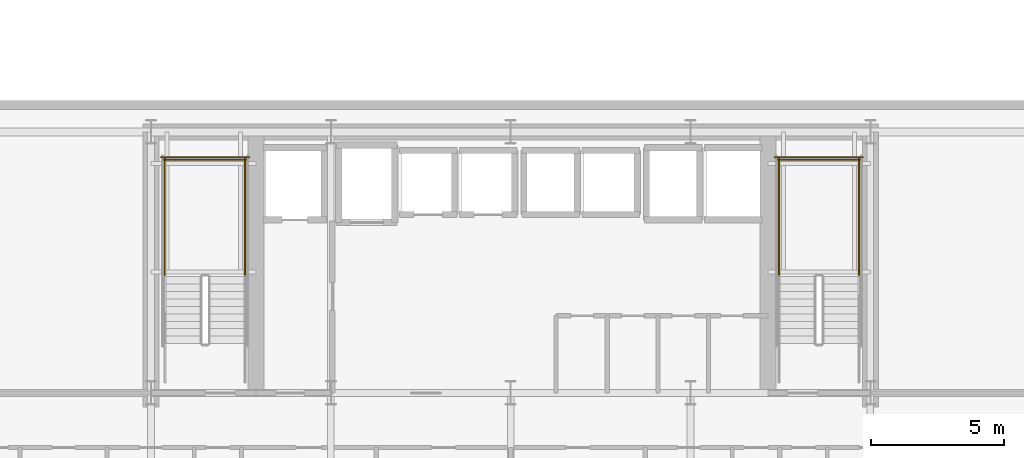
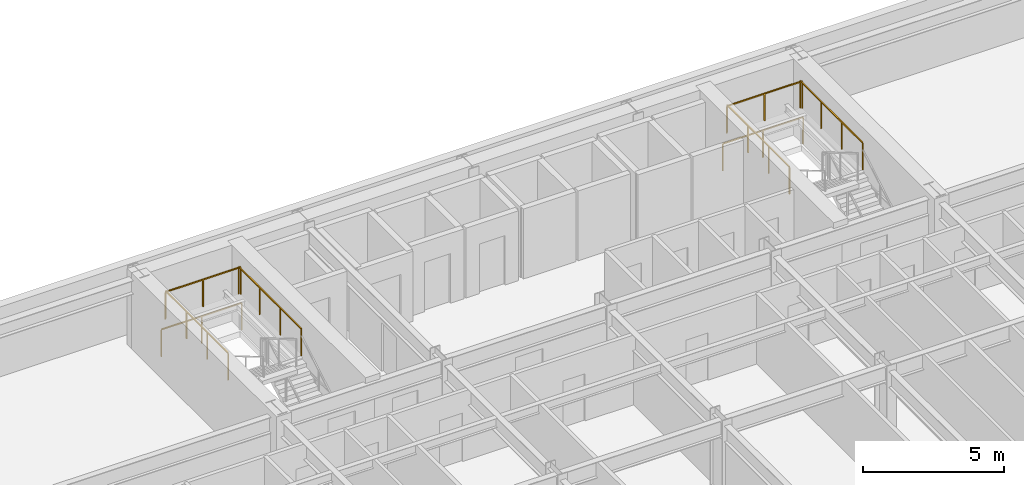
# One storey, part 14 of 17: 8 railings.
"""IFC4 building model written with IfcOpenShell, lengths in metres."""

from ifc_helpers import new_model, si_unit, direction, frame, origin, origin_2d, place, context, subcontext, project, spatial, rectangle, extrude, material, type_object, element, save


model = new_model("IFC4")

# Units and contexts
model_context = context("Model", 3, precision=1e-05, world=origin(), true_north=direction((0.0, 1.0)))
body_context = subcontext(model_context, "Body", "Model", "MODEL_VIEW")
ifc_project = project(units=[si_unit("LENGTHUNIT", "METRE"), si_unit("AREAUNIT", "SQUARE_METRE"), si_unit("VOLUMEUNIT", "CUBIC_METRE"), si_unit("PLANEANGLEUNIT", "RADIAN"), si_unit("MASSUNIT", "GRAM", prefix="KILO")], contexts=[model_context])

# Site, building, storey
site_placement = place(None, origin())
site = spatial("IfcSite", under=ifc_project, at=site_placement, CompositionType="ELEMENT")
building_placement = place(site_placement, origin())
building = spatial("IfcBuilding", under=site, at=building_placement, Name="Haevon Station Towers", CompositionType="ELEMENT")
storey_placement = place(building_placement, frame((0.0, 0.0, 37.199951171875)))
storey = spatial("IfcBuildingStorey", under=building, at=storey_placement, Name="L08", CompositionType="ELEMENT", Elevation=37.199951171875)

# Railings
ifc_material = material(Name="Steel S355", Category="steel")
railing_type = type_object("IfcRailingType", Name="GRD-STR1200", PredefinedType="GUARDRAIL", material=ifc_material)
for number, where, name in (
    (1, (27.530029296875, 42.570068359375, 1.650146484375), "L08 ST1 Stair Guard 3"),
    (2, (24.530029296875, 42.570068359375, 1.650146484375), "L08 ST1 Stair Guard 4"),
):
    element("IfcRailing", number, at=place(storey_placement, frame(where)), inside=storey, type_object=railing_type, Name=name, PredefinedType="GUARDRAIL", context=body_context, shape_type="SweptSolid", body=[
        extrude(rectangle(XDim=0.048095703125, YDim=0.048095703125, at=origin_2d()), frame((0.0, 0.0, 1.17578125), z_axis=(0.0, 1.0, 0.0), x_axis=(-1.0, 0.0, 0.0)), (0.0, 0.0, 1.0), 4.429931640625),
        extrude(rectangle(XDim=0.0419921875, YDim=0.0419921875, at=origin_2d()), origin(), (0.0, 0.0, 1.0), 1.15185546875),
        extrude(rectangle(XDim=0.0419921875, YDim=0.0419921875, at=origin_2d()), frame((0.0, 1.4765625, 0.0)), (0.0, 0.0, 1.0), 1.15185546875),
        extrude(rectangle(XDim=0.0419921875, YDim=0.0419921875, at=origin_2d()), frame((0.0, 2.953369140625, 0.0)), (0.0, 0.0, 1.0), 1.15185546875),
        extrude(rectangle(XDim=0.0419921875, YDim=0.0419921875, at=origin_2d()), frame((0.0, 4.429931640625, 0.0)), (0.0, 0.0, 1.0), 1.15185546875),
    ])
railing_1_placement = place(storey_placement, frame((27.580078125, 46.949951171875, 1.650146484375)))
element("IfcRailing", 3, at=railing_1_placement, inside=storey, type_object=railing_type, Name="L08 ST1 Stair Guard 5", PredefinedType="GUARDRAIL", context=body_context, shape_type="SweptSolid", body=[
    extrude(rectangle(XDim=0.048095703125, YDim=0.048095703125, at=origin_2d()), frame((0.0, 0.0, 1.17578125), z_axis=(-1.0, 0.0, 0.0), x_axis=(0.0, -1.0, 0.0)), (0.0, 0.0, 1.0), 3.10009765625),
    extrude(rectangle(XDim=0.0419921875, YDim=0.0419921875, at=origin_2d()), origin(), (0.0, 0.0, 1.0), 1.15185546875),
    extrude(rectangle(XDim=0.0419921875, YDim=0.0419921875, at=origin_2d()), frame((-1.550048828125, 0.0, 0.0)), (0.0, 0.0, 1.0), 1.15185546875),
    extrude(rectangle(XDim=0.0419921875, YDim=0.0419921875, at=origin_2d()), frame((-3.10009765625, 0.0, 0.0)), (0.0, 0.0, 1.0), 1.15185546875),
])
railing_2_placement = place(storey_placement, frame((27.679931640625, 47.050048828125, 0.0)))
element("IfcRailing", 4, at=railing_2_placement, inside=storey, type_object=railing_type, Name="L08 ST1 Stair Guard 12", PredefinedType="GUARDRAIL", context=body_context, shape_type="SweptSolid", body=[
    extrude(rectangle(XDim=0.048095703125, YDim=0.048095703125, at=origin_2d()), frame((0.0, 0.0, 1.17578125), z_axis=(-1.0, 0.0, 0.0), x_axis=(0.0, -1.0, 0.0)), (0.0, 0.0, 1.0), 3.300048828125),
    extrude(rectangle(XDim=0.0419921875, YDim=0.0419921875, at=origin_2d()), origin(), (0.0, 0.0, 1.0), 1.15185546875),
    extrude(rectangle(XDim=0.0419921875, YDim=0.0419921875, at=origin_2d()), frame((-1.64990234375, 0.0, 0.0)), (0.0, 0.0, 1.0), 1.15185546875),
    extrude(rectangle(XDim=0.0419921875, YDim=0.0419921875, at=origin_2d()), frame((-3.300048828125, 0.0, 0.0)), (0.0, 0.0, 1.0), 1.15185546875),
])
for number, where, name in (
    (5, (50.570068359375, 42.570068359375, 1.650146484375), "L08 ST2 Stair Guard 3"),
    (6, (47.570068359375, 42.570068359375, 1.650146484375), "L08 ST2 Stair Guard 4"),
):
    element("IfcRailing", number, at=place(storey_placement, frame(where)), inside=storey, type_object=railing_type, Name=name, PredefinedType="GUARDRAIL", context=body_context, shape_type="SweptSolid", body=[
        extrude(rectangle(XDim=0.048095703125, YDim=0.048095703125, at=origin_2d()), frame((0.0, 0.0, 1.17578125), z_axis=(0.0, 1.0, 0.0), x_axis=(-1.0, 0.0, 0.0)), (0.0, 0.0, 1.0), 4.429931640625),
        extrude(rectangle(XDim=0.0419921875, YDim=0.0419921875, at=origin_2d()), origin(), (0.0, 0.0, 1.0), 1.15185546875),
        extrude(rectangle(XDim=0.0419921875, YDim=0.0419921875, at=origin_2d()), frame((0.0, 1.4765625, 0.0)), (0.0, 0.0, 1.0), 1.15185546875),
        extrude(rectangle(XDim=0.0419921875, YDim=0.0419921875, at=origin_2d()), frame((0.0, 2.953369140625, 0.0)), (0.0, 0.0, 1.0), 1.15185546875),
        extrude(rectangle(XDim=0.0419921875, YDim=0.0419921875, at=origin_2d()), frame((0.0, 4.429931640625, 0.0)), (0.0, 0.0, 1.0), 1.15185546875),
    ])
railing_3_placement = place(storey_placement, frame((50.6201171875, 46.949951171875, 1.650146484375)))
element("IfcRailing", 7, at=railing_3_placement, inside=storey, type_object=railing_type, Name="L08 ST2 Stair Guard 5", PredefinedType="GUARDRAIL", context=body_context, shape_type="SweptSolid", body=[
    extrude(rectangle(XDim=0.048095703125, YDim=0.048095703125, at=origin_2d()), frame((0.0, 0.0, 1.17578125), z_axis=(-1.0, 0.0, 0.0), x_axis=(0.0, -1.0, 0.0)), (0.0, 0.0, 1.0), 3.10009765625),
    extrude(rectangle(XDim=0.0419921875, YDim=0.0419921875, at=origin_2d()), origin(), (0.0, 0.0, 1.0), 1.15185546875),
    extrude(rectangle(XDim=0.0419921875, YDim=0.0419921875, at=origin_2d()), frame((-1.550048828125, 0.0, 0.0)), (0.0, 0.0, 1.0), 1.15185546875),
    extrude(rectangle(XDim=0.0419921875, YDim=0.0419921875, at=origin_2d()), frame((-3.10009765625, 0.0, 0.0)), (0.0, 0.0, 1.0), 1.15185546875),
])
railing_4_placement = place(storey_placement, frame((50.719970703125, 47.050048828125, 0.0)))
element("IfcRailing", 8, at=railing_4_placement, inside=storey, type_object=railing_type, Name="L08 ST2 Stair Guard 12", PredefinedType="GUARDRAIL", context=body_context, shape_type="SweptSolid", body=[
    extrude(rectangle(XDim=0.048095703125, YDim=0.048095703125, at=origin_2d()), frame((0.0, 0.0, 1.17578125), z_axis=(-1.0, 0.0, 0.0), x_axis=(0.0, -1.0, 0.0)), (0.0, 0.0, 1.0), 3.300048828125),
    extrude(rectangle(XDim=0.0419921875, YDim=0.0419921875, at=origin_2d()), origin(), (0.0, 0.0, 1.0), 1.15185546875),
    extrude(rectangle(XDim=0.0419921875, YDim=0.0419921875, at=origin_2d()), frame((-1.64990234375, 0.0, 0.0)), (0.0, 0.0, 1.0), 1.15185546875),
    extrude(rectangle(XDim=0.0419921875, YDim=0.0419921875, at=origin_2d()), frame((-3.300048828125, 0.0, 0.0)), (0.0, 0.0, 1.0), 1.15185546875),
])

save(model, "model.ifc")
